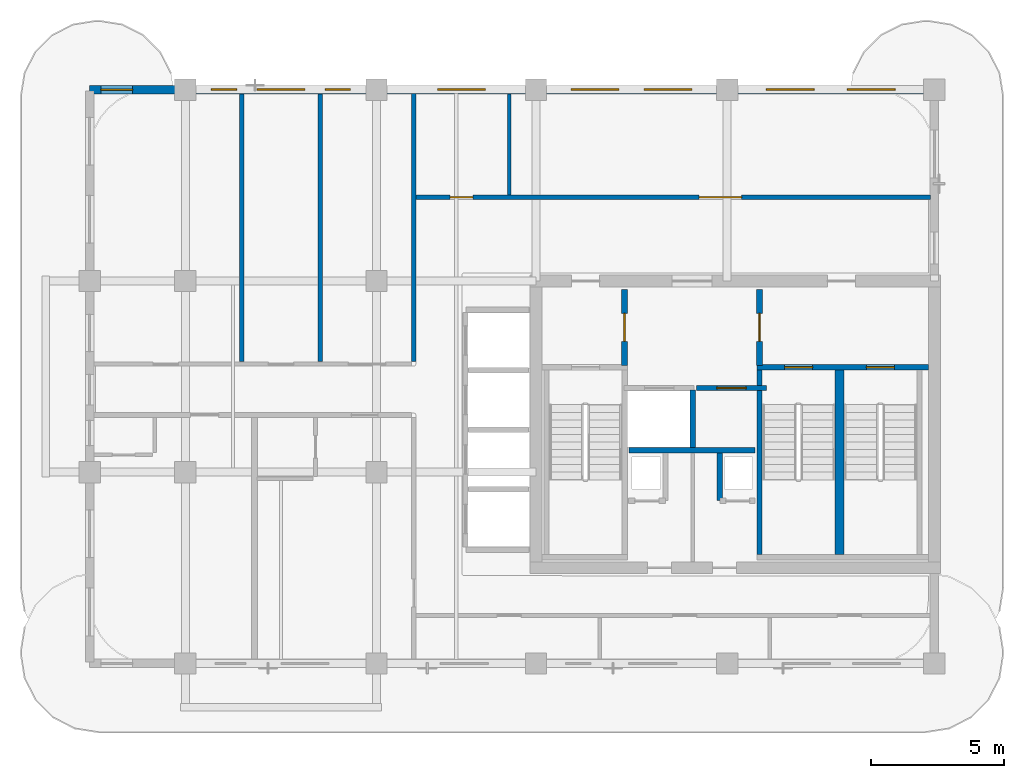
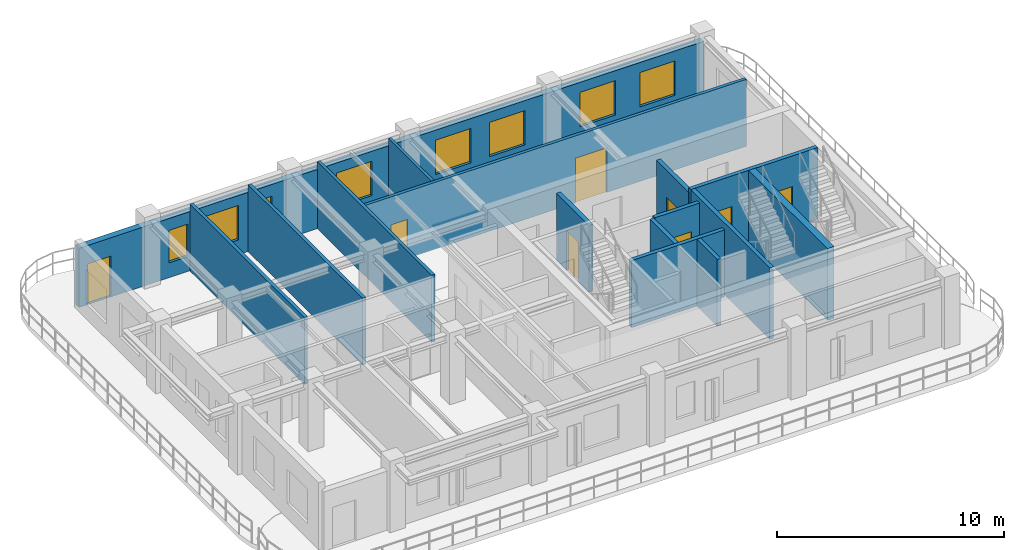
# One storey, part 4 of 8: 15 walls, 8 doors, 8 windows, 16 openings.
"""IFC4 building model written with IfcOpenShell, lengths in metres."""

from ifc_helpers import new_model, si_unit, derived_unit, direction, frame, frame_2d, origin, place, context, subcontext, project, spatial, rectangle, extrude, source, transform, mapped, material, layer, layer_set, type_object, type_shapes, element, fill, save


model = new_model("IFC4")

# Units and contexts
model_context = context("Model", 3, precision=1e-05, world=origin(), true_north=direction((0.0, 1.0)))
body_context = subcontext(model_context, "Body", "Model", "MODEL_VIEW")
ifc_project = project(units=[si_unit("LENGTHUNIT", "METRE"), si_unit("AREAUNIT", "SQUARE_METRE"), si_unit("VOLUMEUNIT", "CUBIC_METRE"), si_unit("PLANEANGLEUNIT", "RADIAN"), si_unit("MASSUNIT", "GRAM", prefix="KILO"), si_unit("THERMODYNAMICTEMPERATUREUNIT", "KELVIN"), si_unit("POWERUNIT", "WATT"), derived_unit("THERMALTRANSMITTANCEUNIT", [(si_unit("POWERUNIT", "WATT"), 1), (si_unit("AREAUNIT", "SQUARE_METRE"), -1), (si_unit("THERMODYNAMICTEMPERATUREUNIT", "KELVIN"), -1)])], contexts=[model_context])

# Site, building, storey
site_placement = place(None, origin())
site = spatial("IfcSite", under=ifc_project, at=site_placement, CompositionType="ELEMENT")
building_placement = place(site_placement, origin())
building = spatial("IfcBuilding", under=site, at=building_placement, Name="Zahravan Archway Hotel and Residences", CompositionType="ELEMENT")
storey_placement = place(building_placement, frame((0.0, 0.0, 263.5)))
storey = spatial("IfcBuildingStorey", under=building, at=storey_placement, Name="L66", CompositionType="ELEMENT", Elevation=263.5)

# Wall, openings, door, windows
ifc_material_1 = material(Name="Agra Buff Sandstone & Insulated Backup", Category="masonry")
ifc_layer_1 = layer(ifc_material_1, 0.320068359375, Name="Agra Buff Sandstone & Insulated Backup", Category="masonry")
ifc_layer_set_1 = layer_set([ifc_layer_1], Name="Agra Buff Sandstone & Insulated Backup")
wall_type_1 = type_object("IfcWallType", Name="EW-SAND-320", PredefinedType="SOLIDWALL", material=ifc_layer_set_1)
wall_1_placement = place(storey_placement, frame((18.0, 21.60009765625, 0.0), z_axis=(0.0, 0.0, 1.0), x_axis=(1.0, 0.0, 0.0)))
wall_1 = element("IfcWall", 1, at=wall_1_placement, inside=storey, type_object=wall_type_1, Name="L66 Exterior Sandstone Wall WA-N", PredefinedType="SOLIDWALL", context=body_context, shape_type="SweptSolid", body=[
    extrude(rectangle(XDim=31.800048828125, YDim=0.320068359375, at=frame_2d((15.89990234375, 0.0))), origin(), (0.0, 0.0, 1.0), 3.18505859375),
])
opening_1_placement = place(wall_1_placement, frame((0.419921875, 0.0, 0.0)))
opening_1 = element("IfcOpeningElement", 2, at=opening_1_placement, cuts=wall_1, Name="Opening ED-BL1", PredefinedType="OPENING", context=body_context, shape_type="SweptSolid", body=[
    extrude(rectangle(XDim=1.199951171875, YDim=2.199951171875, at=frame_2d((0.60009765625, 1.10009765625))), frame((0.0, 0.169921875, 0.0), z_axis=(0.0, -1.0, 0.0), x_axis=(1.0, 0.0, 0.0)), (0.0, 0.0, 1.0), 0.340087890625),
])
opening_2_placement = place(wall_1_placement, frame((4.5810546875, 0.0, 0.800048828125)))
opening_2 = element("IfcOpeningElement", 3, at=opening_2_placement, cuts=wall_1, Name="Opening W-04", PredefinedType="OPENING", context=body_context, shape_type="SweptSolid", body=[
    extrude(rectangle(XDim=0.949951171875, YDim=1.75, at=frame_2d((0.47509765625, 0.875))), frame((0.0, 0.169921875, 0.0), z_axis=(0.0, -1.0, 0.0), x_axis=(1.0, 0.0, 0.0)), (0.0, 0.0, 1.0), 0.340087890625),
])
opening_3_placement = place(wall_1_placement, frame((6.300048828125, 0.0, 0.800048828125)))
opening_3 = element("IfcOpeningElement", 4, at=opening_3_placement, cuts=wall_1, Name="Opening W-02", PredefinedType="OPENING", context=body_context, shape_type="SweptSolid", body=[
    extrude(rectangle(XDim=1.800048828125, YDim=1.85009765625, at=frame_2d((0.89990234375, 0.925048828125))), frame((0.0, 0.169921875, 0.0), z_axis=(0.0, -1.0, 0.0), x_axis=(1.0, 0.0, 0.0)), (0.0, 0.0, 1.0), 0.340087890625),
])
opening_4_placement = place(wall_1_placement, frame((8.868896484375, 0.0, 0.800048828125)))
opening_4 = element("IfcOpeningElement", 5, at=opening_4_placement, cuts=wall_1, Name="Opening W-04", PredefinedType="OPENING", context=body_context, shape_type="SweptSolid", body=[
    extrude(rectangle(XDim=0.949951171875, YDim=1.75, at=frame_2d((0.47509765625, 0.875))), frame((0.0, 0.169921875, 0.0), z_axis=(0.0, -1.0, 0.0), x_axis=(1.0, 0.0, 0.0)), (0.0, 0.0, 1.0), 0.340087890625),
])
opening_5_placement = place(wall_1_placement, frame((13.10107421875, 0.0, 0.800048828125)))
opening_5 = element("IfcOpeningElement", 6, at=opening_5_placement, cuts=wall_1, Name="Opening W-02", PredefinedType="OPENING", context=body_context, shape_type="SweptSolid", body=[
    extrude(rectangle(XDim=1.800048828125, YDim=1.85009765625, at=frame_2d((0.89990234375, 0.925048828125))), frame((0.0, 0.169921875, 0.0), z_axis=(0.0, -1.0, 0.0), x_axis=(1.0, 0.0, 0.0)), (0.0, 0.0, 1.0), 0.340087890625),
])
opening_6_placement = place(wall_1_placement, frame((18.125, 0.0, 0.800048828125)))
opening_6 = element("IfcOpeningElement", 7, at=opening_6_placement, cuts=wall_1, Name="Opening W-02", PredefinedType="OPENING", context=body_context, shape_type="SweptSolid", body=[
    extrude(rectangle(XDim=1.800048828125, YDim=1.85009765625, at=frame_2d((0.89990234375, 0.925048828125))), frame((0.0, 0.169921875, 0.0), z_axis=(0.0, -1.0, 0.0), x_axis=(1.0, 0.0, 0.0)), (0.0, 0.0, 1.0), 0.340087890625),
])
opening_7_placement = place(wall_1_placement, frame((20.875, 0.0, 0.800048828125)))
opening_7 = element("IfcOpeningElement", 8, at=opening_7_placement, cuts=wall_1, Name="Opening W-02", PredefinedType="OPENING", context=body_context, shape_type="SweptSolid", body=[
    extrude(rectangle(XDim=1.800048828125, YDim=1.85009765625, at=frame_2d((0.89990234375, 0.925048828125))), frame((0.0, 0.169921875, 0.0), z_axis=(0.0, -1.0, 0.0), x_axis=(1.0, 0.0, 0.0)), (0.0, 0.0, 1.0), 0.340087890625),
])
opening_8_placement = place(wall_1_placement, frame((25.47509765625, 0.0, 0.800048828125)))
opening_8 = element("IfcOpeningElement", 9, at=opening_8_placement, cuts=wall_1, Name="Opening W-02", PredefinedType="OPENING", context=body_context, shape_type="SweptSolid", body=[
    extrude(rectangle(XDim=1.800048828125, YDim=1.85009765625, at=frame_2d((0.89990234375, 0.925048828125))), frame((0.0, 0.169921875, 0.0), z_axis=(0.0, -1.0, 0.0), x_axis=(1.0, 0.0, 0.0)), (0.0, 0.0, 1.0), 0.340087890625),
])
opening_9_placement = place(wall_1_placement, frame((28.52490234375, 0.0, 0.800048828125)))
opening_9 = element("IfcOpeningElement", 10, at=opening_9_placement, cuts=wall_1, Name="Opening W-02", PredefinedType="OPENING", context=body_context, shape_type="SweptSolid", body=[
    extrude(rectangle(XDim=1.800048828125, YDim=1.85009765625, at=frame_2d((0.89990234375, 0.925048828125))), frame((0.0, 0.169921875, 0.0), z_axis=(0.0, -1.0, 0.0), x_axis=(1.0, 0.0, 0.0)), (0.0, 0.0, 1.0), 0.340087890625),
])
ifc_material_2 = material(Name="Bronze-Anodized Glazed Aluminium", Category="aluminium")
door_type_1 = type_object("IfcDoorType", Name="ED-BALC-1200", OperationType="SLIDING_TO_LEFT", PredefinedType="DOOR", material=ifc_material_2)
shared_shape_1 = source(origin(), body_context, "Body", "SweptSolid", [
    extrude(rectangle(XDim=1.199951171875, YDim=2.199951171875, at=frame_2d((0.60009765625, 1.10009765625))), frame((0.0, 0.02490234375, 0.0), z_axis=(0.0, -1.0, 0.0), x_axis=(1.0, 0.0, 0.0)), (0.0, 0.0, 1.0), 0.050048828125),
])
type_shapes(door_type_1, [shared_shape_1])
door_1_placement = place(opening_1_placement, origin())
door_1 = element("IfcDoor", 11, at=door_1_placement, inside=storey, type_object=door_type_1, Name="L66 Outdoor Access Sliding Door (SLB-BAL-L66-WA)", OperationType="SLIDING_TO_LEFT", OverallHeight=2.199951171875, OverallWidth=1.199951171875, PredefinedType="DOOR", context=body_context, shape_type="MappedRepresentation", body=[
    mapped(shared_shape_1, transform((0.0, 0.0, 0.0), scale=1.0)),
])
fill(opening_1, door_1)
ifc_material_3 = material(Name="Bronze-Anodized Thermal-Break Aluminium & Low-E Glass", Category="aluminium")
window_type_1 = type_object("IfcWindowType", Name="WIN-NAR-950", PartitioningType="SINGLE_PANEL", PredefinedType="WINDOW", material=ifc_material_3)
shared_shape_2 = source(origin(), body_context, "Body", "SweptSolid", [
    extrude(rectangle(XDim=0.949951171875, YDim=1.75, at=frame_2d((0.47509765625, 0.875))), frame((0.0, 0.030029296875, 0.0), z_axis=(0.0, -1.0, 0.0), x_axis=(1.0, 0.0, 0.0)), (0.0, 0.0, 1.0), 0.06005859375),
])
type_shapes(window_type_1, [shared_shape_2])
window_1_placement = place(opening_2_placement, origin())
window_1 = element("IfcWindow", 12, at=window_1_placement, inside=storey, type_object=window_type_1, Name="L66 Loggia Window 09", OverallHeight=1.75, OverallWidth=0.949951171875, PartitioningType="SINGLE_PANEL", PredefinedType="WINDOW", context=body_context, shape_type="MappedRepresentation", body=[
    mapped(shared_shape_2, transform((0.0, 0.0, 0.0), scale=1.0)),
])
fill(opening_2, window_1)
window_2_placement = place(opening_4_placement, origin())
window_2 = element("IfcWindow", 13, at=window_2_placement, inside=storey, type_object=window_type_1, Name="L66 Loggia Window 11", OverallHeight=1.75, OverallWidth=0.949951171875, PartitioningType="SINGLE_PANEL", PredefinedType="WINDOW", context=body_context, shape_type="MappedRepresentation", body=[
    mapped(shared_shape_2, transform((0.0, 0.0, 0.0), scale=1.0)),
])
fill(opening_4, window_2)
window_type_2 = type_object("IfcWindowType", Name="WIN-TWR-1800", PartitioningType="DOUBLE_PANEL_VERTICAL", PredefinedType="WINDOW", material=ifc_material_3)
shared_shape_3 = source(origin(), body_context, "Body", "SweptSolid", [
    extrude(rectangle(XDim=1.800048828125, YDim=1.85009765625, at=frame_2d((0.89990234375, 0.925048828125))), frame((0.0, 0.030029296875, 0.0), z_axis=(0.0, -1.0, 0.0), x_axis=(1.0, 0.0, 0.0)), (0.0, 0.0, 1.0), 0.06005859375),
])
type_shapes(window_type_2, [shared_shape_3])
window_3_placement = place(opening_3_placement, origin())
window_3 = element("IfcWindow", 14, at=window_3_placement, inside=storey, type_object=window_type_2, Name="L66 Loggia Window 10", OverallHeight=1.85009765625, OverallWidth=1.800048828125, PartitioningType="DOUBLE_PANEL_VERTICAL", PredefinedType="WINDOW", context=body_context, shape_type="MappedRepresentation", body=[
    mapped(shared_shape_3, transform((0.0, 0.0, 0.0), scale=1.0)),
])
fill(opening_3, window_3)
window_4_placement = place(opening_5_placement, origin())
window_4 = element("IfcWindow", 15, at=window_4_placement, inside=storey, type_object=window_type_2, Name="L66 Loggia Window 12", OverallHeight=1.85009765625, OverallWidth=1.800048828125, PartitioningType="DOUBLE_PANEL_VERTICAL", PredefinedType="WINDOW", context=body_context, shape_type="MappedRepresentation", body=[
    mapped(shared_shape_3, transform((0.0, 0.0, 0.0), scale=1.0)),
])
fill(opening_5, window_4)
window_5_placement = place(opening_6_placement, origin())
window_5 = element("IfcWindow", 16, at=window_5_placement, inside=storey, type_object=window_type_2, Name="L66 Loggia Window 13", OverallHeight=1.85009765625, OverallWidth=1.800048828125, PartitioningType="DOUBLE_PANEL_VERTICAL", PredefinedType="WINDOW", context=body_context, shape_type="MappedRepresentation", body=[
    mapped(shared_shape_3, transform((0.0, 0.0, 0.0), scale=1.0)),
])
fill(opening_6, window_5)
window_6_placement = place(opening_7_placement, origin())
window_6 = element("IfcWindow", 17, at=window_6_placement, inside=storey, type_object=window_type_2, Name="L66 Loggia Window 14", OverallHeight=1.85009765625, OverallWidth=1.800048828125, PartitioningType="DOUBLE_PANEL_VERTICAL", PredefinedType="WINDOW", context=body_context, shape_type="MappedRepresentation", body=[
    mapped(shared_shape_3, transform((0.0, 0.0, 0.0), scale=1.0)),
])
fill(opening_7, window_6)
window_7_placement = place(opening_8_placement, origin())
window_7 = element("IfcWindow", 18, at=window_7_placement, inside=storey, type_object=window_type_2, Name="L66 Loggia Window 15", OverallHeight=1.85009765625, OverallWidth=1.800048828125, PartitioningType="DOUBLE_PANEL_VERTICAL", PredefinedType="WINDOW", context=body_context, shape_type="MappedRepresentation", body=[
    mapped(shared_shape_3, transform((0.0, 0.0, 0.0), scale=1.0)),
])
fill(opening_8, window_7)
window_8_placement = place(opening_9_placement, origin())
window_8 = element("IfcWindow", 19, at=window_8_placement, inside=storey, type_object=window_type_2, Name="L66 Loggia Window 16", OverallHeight=1.85009765625, OverallWidth=1.800048828125, PartitioningType="DOUBLE_PANEL_VERTICAL", PredefinedType="WINDOW", context=body_context, shape_type="MappedRepresentation", body=[
    mapped(shared_shape_3, transform((0.0, 0.0, 0.0), scale=1.0)),
])
fill(opening_9, window_8)

# Wall, opening, door
ifc_material_4 = material(Name="Fire-Rated Gypsum & Concrete Block", Category="concrete")
ifc_layer_2 = layer(ifc_material_4, 0.219970703125, Name="Fire-Rated Gypsum & Concrete Block", Category="concrete")
ifc_layer_set_2 = layer_set([ifc_layer_2], Name="Fire-Rated Gypsum & Concrete Block")
wall_type_2 = type_object("IfcWallType", Name="PW-COMP-220", PredefinedType="PARTITIONING", material=ifc_layer_set_2)
wall_2_placement = place(storey_placement, frame((38.139892578125, 11.219970703125, 0.0), z_axis=(0.0, 0.0, 1.0), x_axis=(0.0, 1.0, 0.0)))
wall_2 = element("IfcWall", 20, at=wall_2_placement, inside=storey, type_object=wall_type_2, Name="L66 Partition CA-LOBW", PredefinedType="PARTITIONING", context=body_context, shape_type="SweptSolid", body=[
    extrude(rectangle(XDim=2.860107421875, YDim=0.219970703125, at=frame_2d((1.43017578125, 0.0))), origin(), (0.0, 0.0, 1.0), 3.60009765625),
])
opening_10_placement = place(wall_2_placement, frame((0.905029296875, 0.0, 0.0)))
opening_10 = element("IfcOpeningElement", 21, at=opening_10_placement, cuts=wall_2, Name="Opening FD-L2", PredefinedType="OPENING", context=body_context, shape_type="SweptSolid", body=[
    extrude(rectangle(XDim=1.050048828125, YDim=2.14990234375, at=frame_2d((0.52490234375, 1.074951171875))), frame((0.0, 0.1201171875, 0.0), z_axis=(0.0, -1.0, 0.0), x_axis=(1.0, 0.0, 0.0)), (0.0, 0.0, 1.0), 0.239990234375),
])
ifc_material_5 = material(Name="Fire-Rated Painted Steel", Category="steel")
door_type_2 = type_object("IfcDoorType", Name="FD-LOBBY-1100", OperationType="NOTDEFINED", PredefinedType="DOOR", material=ifc_material_5)
shared_shape_4 = source(origin(), body_context, "Body", "SweptSolid", [
    extrude(rectangle(XDim=1.050048828125, YDim=2.14990234375, at=frame_2d((0.52490234375, 1.074951171875))), frame((0.0, 0.02490234375, 0.0), z_axis=(0.0, -1.0, 0.0), x_axis=(1.0, 0.0, 0.0)), (0.0, 0.0, 1.0), 0.050048828125),
])
type_shapes(door_type_2, [shared_shape_4])
door_2_placement = place(opening_10_placement, origin())
door_2 = element("IfcDoor", 22, at=door_2_placement, inside=storey, type_object=door_type_2, Name="L66 Core A West Stair to FSAE Lobby Door", OperationType="SINGLE_SWING_RIGHT", OverallHeight=2.14990234375, OverallWidth=1.050048828125, PredefinedType="DOOR", context=body_context, shape_type="MappedRepresentation", body=[
    mapped(shared_shape_4, transform((0.0, 0.0, 0.0), scale=1.0)),
])
fill(opening_10, door_2)

wall_3_placement = place(storey_placement, frame((43.219970703125, 11.219970703125, 0.0), z_axis=(0.0, 0.0, 1.0), x_axis=(0.0, 1.0, 0.0)))
wall_3 = element("IfcWall", 23, at=wall_3_placement, inside=storey, type_object=wall_type_2, Name="L66 Partition CA-LOBE", PredefinedType="PARTITIONING", context=body_context, shape_type="SweptSolid", body=[
    extrude(rectangle(XDim=2.860107421875, YDim=0.219970703125, at=frame_2d((1.43017578125, 0.0))), origin(), (0.0, 0.0, 1.0), 3.60009765625),
])
opening_11_placement = place(wall_3_placement, frame((0.905029296875, 0.0, 0.0)))
opening_11 = element("IfcOpeningElement", 24, at=opening_11_placement, cuts=wall_3, Name="Opening FD-L2", PredefinedType="OPENING", context=body_context, shape_type="SweptSolid", body=[
    extrude(rectangle(XDim=1.050048828125, YDim=2.14990234375, at=frame_2d((0.52490234375, 1.074951171875))), frame((0.0, 0.1201171875, 0.0), z_axis=(0.0, -1.0, 0.0), x_axis=(1.0, 0.0, 0.0)), (0.0, 0.0, 1.0), 0.239990234375),
])
door_3_placement = place(opening_11_placement, origin())
door_3 = element("IfcDoor", 25, at=door_3_placement, inside=storey, type_object=door_type_2, Name="L66 Core A East Stair to FSAE Lobby Door", OperationType="SINGLE_SWING_LEFT", OverallHeight=2.14990234375, OverallWidth=1.050048828125, PredefinedType="DOOR", context=body_context, shape_type="MappedRepresentation", body=[
    mapped(shared_shape_4, transform((0.0, 0.0, 0.0), scale=1.0)),
])
fill(opening_11, door_3)

# Wall
ifc_layer_3 = layer(ifc_material_4, 0.159912109375, Name="Fire-Rated Gypsum & Concrete Block", Category="concrete")
ifc_layer_set_3 = layer_set([ifc_layer_3], Name="Fire-Rated Gypsum & Concrete Block")
wall_type_3 = type_object("IfcWallType", Name="PW-CORR-160", PredefinedType="PARTITIONING", material=ifc_layer_set_3)
wall_4_placement = place(storey_placement, frame((30.199951171875, 11.360107421875, 0.0), z_axis=(0.0, 0.0, 1.0), x_axis=(0.0, 1.0, 0.0)))
element("IfcWall", 26, at=wall_4_placement, inside=storey, type_object=wall_type_3, Name="L66 Partition WA-FW", PredefinedType="PARTITIONING", context=body_context, shape_type="SweptSolid", body=[
    extrude(rectangle(XDim=10.099853515625, YDim=0.159912109375, at=frame_2d((5.0498046875, 0.0))), origin(), (0.0, 0.0, 1.0), 3.60009765625),
])

# Wall, openings, doors
wall_5_placement = place(storey_placement, frame((30.2900390625, 17.550048828125, 0.0), z_axis=(0.0, 0.0, 1.0), x_axis=(1.0, 0.0, 0.0)))
wall_5 = element("IfcWall", 27, at=wall_5_placement, inside=storey, type_object=wall_type_3, Name="L66 Partition WA-FN", PredefinedType="PARTITIONING", context=body_context, shape_type="SweptSolid", body=[
    extrude(rectangle(XDim=19.369873046875, YDim=0.159912109375, at=frame_2d((9.68505859375, 0.0))), origin(), (0.0, 0.0, 1.0), 3.60009765625),
])
opening_12_placement = place(wall_5_placement, frame((1.284912109375, 0.0, 0.0)))
opening_12 = element("IfcOpeningElement", 28, at=opening_12_placement, cuts=wall_5, Name="Opening D-B1", PredefinedType="OPENING", context=body_context, shape_type="SweptSolid", body=[
    extrude(rectangle(XDim=0.85009765625, YDim=2.10009765625, at=frame_2d((0.425048828125, 1.050048828125))), frame((0.0, 0.08984375, 0.0), z_axis=(0.0, -1.0, 0.0), x_axis=(1.0, 0.0, 0.0)), (0.0, 0.0, 1.0), 0.179931640625),
])
opening_13_placement = place(wall_5_placement, frame((10.659912109375, 0.0, 0.0)))
opening_13 = element("IfcOpeningElement", 29, at=opening_13_placement, cuts=wall_5, Name="Opening D-P2", PredefinedType="OPENING", context=body_context, shape_type="SweptSolid", body=[
    extrude(rectangle(XDim=1.60009765625, YDim=2.39990234375, at=frame_2d((0.800048828125, 1.199951171875))), frame((0.0, 0.08984375, 0.0), z_axis=(0.0, -1.0, 0.0), x_axis=(1.0, 0.0, 0.0)), (0.0, 0.0, 1.0), 0.179931640625),
])
door_type_3 = type_object("IfcDoorType", Name="ID-PUBLIC-1600", OperationType="DOUBLE_DOOR_SINGLE_SWING", PredefinedType="DOOR", material=ifc_material_2)
shared_shape_5 = source(origin(), body_context, "Body", "SweptSolid", [
    extrude(rectangle(XDim=1.60009765625, YDim=2.39990234375, at=frame_2d((0.800048828125, 1.199951171875))), frame((0.0, 0.02490234375, 0.0), z_axis=(0.0, -1.0, 0.0), x_axis=(1.0, 0.0, 0.0)), (0.0, 0.0, 1.0), 0.050048828125),
])
type_shapes(door_type_3, [shared_shape_5])
door_4_placement = place(opening_13_placement, origin())
door_4 = element("IfcDoor", 30, at=door_4_placement, inside=storey, type_object=door_type_3, Name="L66 North Fitness Gym Door", OperationType="DOUBLE_DOOR_SINGLE_SWING", OverallHeight=2.39990234375, OverallWidth=1.60009765625, PredefinedType="DOOR", context=body_context, shape_type="MappedRepresentation", body=[
    mapped(shared_shape_5, transform((0.0, 0.0, 0.0), scale=1.0)),
])
fill(opening_13, door_4)
ifc_material_6 = material(Name="Hardwood Veneer Timber", Category="wood")
door_type_4 = type_object("IfcDoorType", Name="ID-BATH-850", OperationType="NOTDEFINED", PredefinedType="DOOR", material=ifc_material_6)
shared_shape_6 = source(origin(), body_context, "Body", "SweptSolid", [
    extrude(rectangle(XDim=0.85009765625, YDim=2.10009765625, at=frame_2d((0.425048828125, 1.050048828125))), frame((0.0, 0.02490234375, 0.0), z_axis=(0.0, -1.0, 0.0), x_axis=(1.0, 0.0, 0.0)), (0.0, 0.0, 1.0), 0.050048828125),
])
type_shapes(door_type_4, [shared_shape_6])
door_5_placement = place(opening_12_placement, origin())
door_5 = element("IfcDoor", 31, at=door_5_placement, inside=storey, type_object=door_type_4, Name="L66 Accessible Restroom Door", OperationType="SINGLE_SWING_RIGHT", OverallHeight=2.10009765625, OverallWidth=0.85009765625, PredefinedType="DOOR", context=body_context, shape_type="MappedRepresentation", body=[
    mapped(shared_shape_6, transform((0.0, 0.0, 0.0), scale=1.0)),
])
fill(opening_12, door_5)

# Walls
ifc_layer_4 = layer(ifc_material_4, 0.199951171875, Name="Fire-Rated Gypsum & Concrete Block", Category="concrete")
ifc_layer_set_4 = layer_set([ifc_layer_4], Name="Fire-Rated Gypsum & Concrete Block")
wall_type_4 = type_object("IfcWallType", Name="PW-SHAFT-200", PredefinedType="PARTITIONING", material=ifc_layer_set_4)
wall_6_placement = place(storey_placement, frame((38.300048828125, 8.030029296875, 0.0), z_axis=(0.0, 0.0, 1.0), x_axis=(1.0, 0.0, 0.0)))
element("IfcWall", 32, at=wall_6_placement, inside=storey, type_object=wall_type_4, Name="L66 Partition CA-FLS", PredefinedType="PARTITIONING", context=body_context, shape_type="SweptSolid", body=[
    extrude(rectangle(XDim=4.739990234375, YDim=0.199951171875, at=frame_2d((2.3701171875, 0.0))), origin(), (0.0, 0.0, 1.0), 3.60009765625),
])
wall_7_placement = place(storey_placement, frame((40.699951171875, 8.1201171875, 0.0), z_axis=(0.0, 0.0, 1.0), x_axis=(0.0, 1.0, 0.0)))
element("IfcWall", 33, at=wall_7_placement, inside=storey, type_object=wall_type_4, Name="L66 Partition CA-FLM", PredefinedType="PARTITIONING", context=body_context, shape_type="SweptSolid", body=[
    extrude(rectangle(XDim=2.179931640625, YDim=0.199951171875, at=frame_2d((1.08984375, 0.0))), origin(), (0.0, 0.0, 1.0), 3.60009765625),
])
wall_8_placement = place(storey_placement, frame((41.719970703125, 6.1298828125, 0.0), z_axis=(0.0, 0.0, 1.0), x_axis=(0.0, 1.0, 0.0)))
element("IfcWall", 34, at=wall_8_placement, inside=storey, type_object=wall_type_4, Name="L66 Partition CA-MEPW", PredefinedType="PARTITIONING", context=body_context, shape_type="SweptSolid", body=[
    extrude(rectangle(XDim=1.7900390625, YDim=0.199951171875, at=frame_2d((0.89501953125, 0.0))), origin(), (0.0, 0.0, 1.0), 3.60009765625),
])

# Wall, opening, door
wall_9_placement = place(storey_placement, frame((40.840087890625, 10.3701171875, 0.0), z_axis=(0.0, 0.0, 1.0), x_axis=(1.0, 0.0, 0.0)))
wall_9 = element("IfcWall", 35, at=wall_9_placement, inside=storey, type_object=wall_type_4, Name="L66 Lift FL-2 Front Wall", PredefinedType="PARTITIONING", context=body_context, shape_type="SweptSolid", body=[
    extrude(rectangle(XDim=2.639892578125, YDim=0.199951171875, at=frame_2d((1.31982421875, 0.0))), origin(), (0.0, 0.0, 1.0), 3.60009765625),
])
opening_14_placement = place(wall_9_placement, frame((0.77001953125, 0.0, 0.0)))
opening_14 = element("IfcOpeningElement", 36, at=opening_14_placement, cuts=wall_9, Name="Opening LD", PredefinedType="OPENING", context=body_context, shape_type="SweptSolid", body=[
    extrude(rectangle(XDim=1.10009765625, YDim=2.199951171875, at=frame_2d((0.550048828125, 1.10009765625))), frame((0.0, 0.10986328125, 0.0), z_axis=(0.0, -1.0, 0.0), x_axis=(1.0, 0.0, 0.0)), (0.0, 0.0, 1.0), 0.219970703125),
])
ifc_material_7 = material(Name="Brushed Stainless Steel", Category="steel")
door_type_5 = type_object("IfcDoorType", Name="DR-LIFT-LD", OperationType="SLIDING_TO_LEFT", PredefinedType="DOOR", material=ifc_material_7)
shared_shape_7 = source(origin(), body_context, "Body", "SweptSolid", [
    extrude(rectangle(XDim=1.10009765625, YDim=2.199951171875, at=frame_2d((0.550048828125, 1.10009765625))), frame((0.0, 0.02490234375, 0.0), z_axis=(0.0, -1.0, 0.0), x_axis=(1.0, 0.0, 0.0)), (0.0, 0.0, 1.0), 0.050048828125),
])
type_shapes(door_type_5, [shared_shape_7])
door_6_placement = place(opening_14_placement, origin())
door_6 = element("IfcDoor", 37, at=door_6_placement, inside=storey, type_object=door_type_5, Name="L66 Lift FL-2 Sliding Landing Door", OperationType="SLIDING_TO_LEFT", OverallHeight=2.199951171875, OverallWidth=1.10009765625, PredefinedType="DOOR", context=body_context, shape_type="MappedRepresentation", body=[
    mapped(shared_shape_7, transform((0.0, 0.0, 0.0), scale=1.0)),
])
fill(opening_14, door_6)

# Walls
ifc_material_8 = material(Name="Acoustic Stud Partition")
ifc_layer_5 = layer(ifc_material_8, 0.169921875, Name="Acoustic Stud Partition")
ifc_layer_set_5 = layer_set([ifc_layer_5], Name="Acoustic Stud Partition")
wall_type_5 = type_object("IfcWallType", Name="PW-UNIT-170", PredefinedType="PARTITIONING", material=ifc_layer_set_5)
for number, where, z_axis, x_axis, name in (
    (38, (23.719970703125, 11.360107421875, 0.0), (0.0, 0.0, 1.0), (0.0, 1.0, 0.0), "L66 Partition WAN-SBK2A"),
    (39, (26.679931640625, 11.360107421875, 0.0), (0.0, 0.0, 1.0), (0.0, 1.0, 0.0), "L66 Partition WAN-SBK2B"),
):
    element("IfcWall", number, at=place(storey_placement, frame(where, z_axis=z_axis, x_axis=x_axis)), inside=storey, type_object=wall_type_5, Name=name, PredefinedType="PARTITIONING", context=body_context, shape_type="SweptSolid", body=[
        extrude(rectangle(XDim=10.07177734375, YDim=0.169921875, at=frame_2d((5.035888671875, 0.0))), origin(), (0.0, 0.0, 1.0), 3.60009765625),
    ])
ifc_material_9 = material(Name="Moisture-Resistant Blockwork", Category="masonry")
ifc_layer_6 = layer(ifc_material_9, 0.139892578125, Name="Moisture-Resistant Blockwork", Category="masonry")
ifc_layer_set_6 = layer_set([ifc_layer_6], Name="Moisture-Resistant Blockwork")
wall_type_6 = type_object("IfcWallType", Name="PW-WET-140", PredefinedType="PARTITIONING", material=ifc_layer_set_6)
wall_10_placement = place(storey_placement, frame((33.800048828125, 17.639892578125, 0.0), z_axis=(0.0, 0.0, 1.0), x_axis=(0.0, 1.0, 0.0)))
element("IfcWall", 40, at=wall_10_placement, inside=storey, type_object=wall_type_6, Name="L66 Partition NE1-1", PredefinedType="PARTITIONING", context=body_context, shape_type="SweptSolid", body=[
    extrude(rectangle(XDim=3.7919921875, YDim=0.139892578125, at=frame_2d((1.89599609375, 0.0))), origin(), (0.0, 0.0, 1.0), 3.60009765625),
])
ifc_material_10 = material(Name="Concrete C50/60", Category="concrete")
ifc_layer_7 = layer(ifc_material_10, 0.199951171875, Name="Concrete C50/60", Category="concrete")
ifc_layer_set_7 = layer_set([ifc_layer_7], Name="Concrete C50/60")
wall_type_7 = type_object("IfcWallType", Name="SW-STAIR-200", PredefinedType="SHEAR", material=ifc_layer_set_7)
wall_11_placement = place(storey_placement, frame((43.219970703125, 4.10009765625, 0.0), z_axis=(0.0, 0.0, 1.0), x_axis=(0.0, 1.0, 0.0)))
element("IfcWall", 41, at=wall_11_placement, inside=storey, type_object=wall_type_7, Name="L66 Stairwell RC Wall CA-SA2W", PredefinedType="SHEAR", context=body_context, shape_type="SweptSolid", body=[
    extrude(rectangle(XDim=6.949951171875, YDim=0.199951171875, at=frame_2d((3.47509765625, 0.0))), origin(), (0.0, 0.0, 1.0), 3.85009765625),
])

# Wall, openings, doors
wall_12_placement = place(storey_placement, frame((43.1201171875, 11.14990234375, 0.0), z_axis=(0.0, 0.0, 1.0), x_axis=(1.0, 0.0, 0.0)))
wall_12 = element("IfcWall", 42, at=wall_12_placement, inside=storey, type_object=wall_type_7, Name="L66 Stairwell RC Wall CA-SA23N", PredefinedType="SHEAR", context=body_context, shape_type="SweptSolid", body=[
    extrude(rectangle(XDim=6.454833984375, YDim=0.199951171875, at=frame_2d((3.2275390625, 0.0))), origin(), (0.0, 0.0, 1.0), 3.85009765625),
])
opening_15_placement = place(wall_12_placement, frame((1.044921875, 0.0, 0.0)))
opening_15 = element("IfcOpeningElement", 43, at=opening_15_placement, cuts=wall_12, Name="Opening FD-S1", PredefinedType="OPENING", context=body_context, shape_type="SweptSolid", body=[
    extrude(rectangle(XDim=1.050048828125, YDim=2.199951171875, at=frame_2d((0.52490234375, 1.10009765625))), frame((0.0, 0.10986328125, 0.0), z_axis=(0.0, -1.0, 0.0), x_axis=(1.0, 0.0, 0.0)), (0.0, 0.0, 1.0), 0.219970703125),
])
opening_16_placement = place(wall_12_placement, frame((4.125, 0.0, 0.0)))
opening_16 = element("IfcOpeningElement", 44, at=opening_16_placement, cuts=wall_12, Name="Opening FD-S1", PredefinedType="OPENING", context=body_context, shape_type="SweptSolid", body=[
    extrude(rectangle(XDim=1.050048828125, YDim=2.199951171875, at=frame_2d((0.52490234375, 1.10009765625))), frame((0.0, 0.10986328125, 0.0), z_axis=(0.0, -1.0, 0.0), x_axis=(1.0, 0.0, 0.0)), (0.0, 0.0, 1.0), 0.219970703125),
])
door_type_6 = type_object("IfcDoorType", Name="FD-STAIR-1100", OperationType="NOTDEFINED", PredefinedType="DOOR", material=ifc_material_5)
shared_shape_8 = source(origin(), body_context, "Body", "SweptSolid", [
    extrude(rectangle(XDim=1.050048828125, YDim=2.199951171875, at=frame_2d((0.52490234375, 1.10009765625))), frame((0.0, 0.02490234375, 0.0), z_axis=(0.0, -1.0, 0.0), x_axis=(1.0, 0.0, 0.0)), (0.0, 0.0, 1.0), 0.050048828125),
])
type_shapes(door_type_6, [shared_shape_8])
door_7_placement = place(opening_15_placement, origin())
door_7 = element("IfcDoor", 45, at=door_7_placement, inside=storey, type_object=door_type_6, Name="L66 Stair ST-A2 Door", OperationType="SINGLE_SWING_RIGHT", OverallHeight=2.199951171875, OverallWidth=1.050048828125, PredefinedType="DOOR", context=body_context, shape_type="MappedRepresentation", body=[
    mapped(shared_shape_8, transform((0.0, 0.0, 0.0), scale=1.0)),
])
fill(opening_15, door_7)
door_8_placement = place(opening_16_placement, origin())
door_8 = element("IfcDoor", 46, at=door_8_placement, inside=storey, type_object=door_type_6, Name="L66 Stair ST-A3 Door", OperationType="SINGLE_SWING_LEFT", OverallHeight=2.199951171875, OverallWidth=1.050048828125, PredefinedType="DOOR", context=body_context, shape_type="MappedRepresentation", body=[
    mapped(shared_shape_8, transform((0.0, 0.0, 0.0), scale=1.0)),
])
fill(opening_16, door_8)

# Wall
ifc_layer_8 = layer(ifc_material_10, 0.340087890625, Name="Concrete C50/60", Category="concrete")
ifc_layer_set_8 = layer_set([ifc_layer_8], Name="Concrete C50/60")
wall_type_8 = type_object("IfcWallType", Name="SW-STAIR-340", PredefinedType="SHEAR", material=ifc_layer_set_8)
wall_13_placement = place(storey_placement, frame((46.22998046875, 4.10009765625, 0.0), z_axis=(0.0, 0.0, 1.0), x_axis=(0.0, 1.0, 0.0)))
element("IfcWall", 47, at=wall_13_placement, inside=storey, type_object=wall_type_8, Name="L66 Stairwell RC Wall CA-SA23M", PredefinedType="SHEAR", context=body_context, shape_type="SweptSolid", body=[
    extrude(rectangle(XDim=6.949951171875, YDim=0.340087890625, at=frame_2d((3.47509765625, 0.0))), origin(), (0.0, 0.0, 1.0), 3.85009765625),
])

save(model, "model.ifc")
